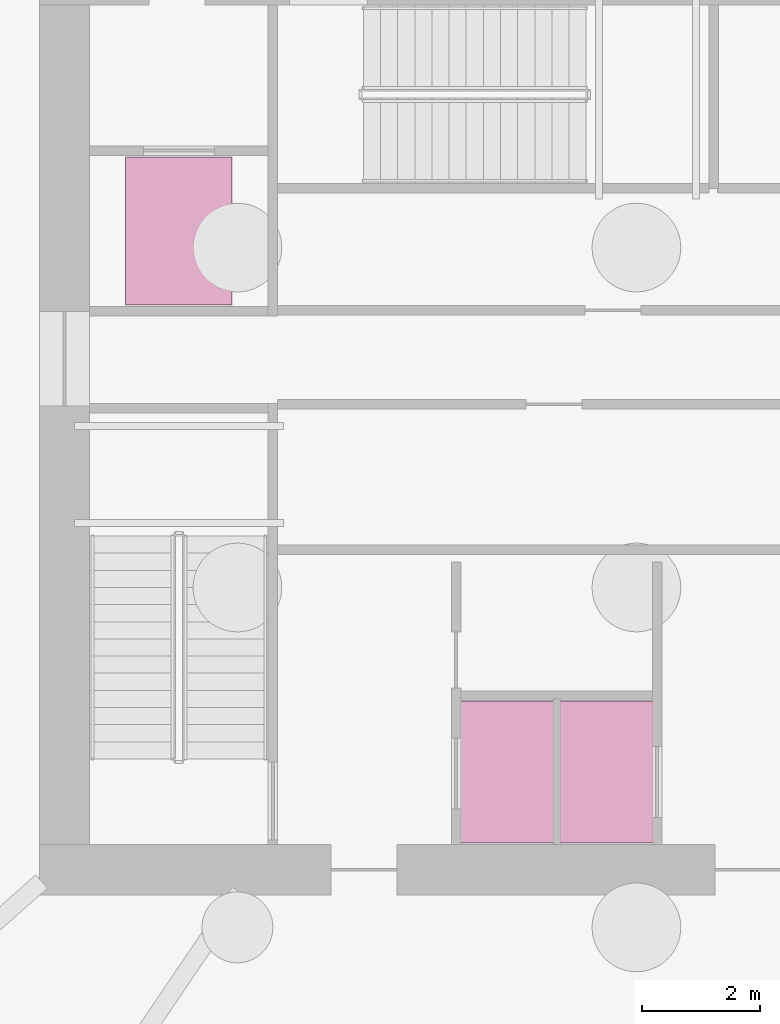
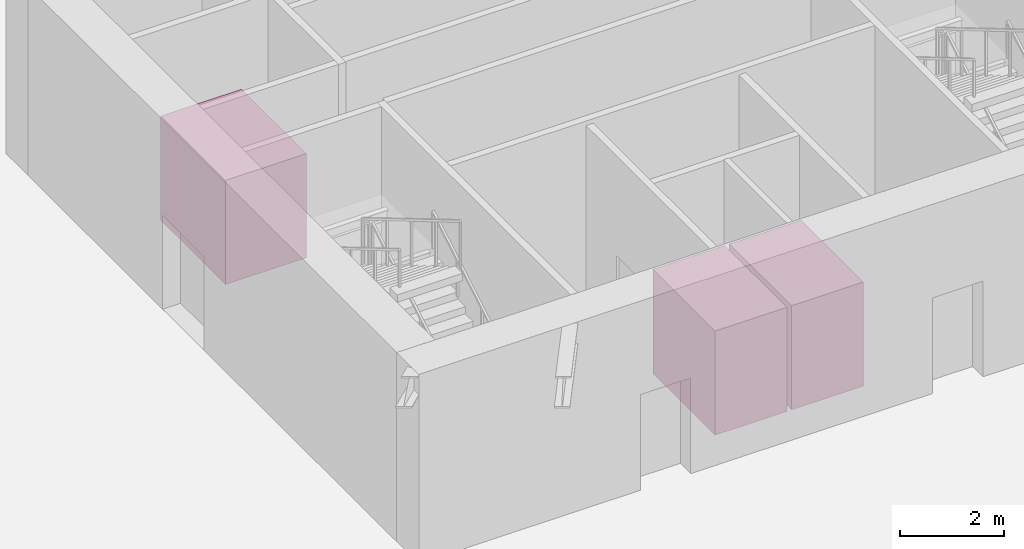
# One storey, part 9 of 9: 3 transport elements.
"""IFC4 building model written with IfcOpenShell, lengths in metres."""

from ifc_helpers import new_model, si_unit, direction, frame, origin, origin_2d, place, context, subcontext, project, spatial, rectangle, extrude, source, transform, mapped, material, type_object, element, save


model = new_model("IFC4")

# Units and contexts
model_context = context("Model", 3, precision=1e-05, world=origin(), true_north=direction((0.0, 1.0)))
body_context = subcontext(model_context, "Body", "Model", "MODEL_VIEW")
ifc_project = project(units=[si_unit("LENGTHUNIT", "METRE"), si_unit("AREAUNIT", "SQUARE_METRE"), si_unit("VOLUMEUNIT", "CUBIC_METRE"), si_unit("PLANEANGLEUNIT", "RADIAN"), si_unit("MASSUNIT", "GRAM", prefix="KILO")], contexts=[model_context])

# Site, building, storey
site_placement = place(None, origin())
site = spatial("IfcSite", under=ifc_project, at=site_placement, CompositionType="ELEMENT")
building_placement = place(site_placement, origin())
building = spatial("IfcBuilding", under=site, at=building_placement, Name="Olszyna Solenne Hotel", CompositionType="ELEMENT")
storey_placement = place(building_placement, frame((0.0, 0.0, -9.60009765625)))
storey = spatial("IfcBuildingStorey", under=building, at=storey_placement, Name="B02", CompositionType="ELEMENT", Elevation=-9.60009765625)

# Transport elements
ifc_material = material(Name="Steel S355J2", Category="steel")
transport_element_type_1 = type_object("IfcTransportElementType", Name="LFT-FF", PredefinedType="ELEVATOR", material=ifc_material)
shared_shape_1 = source(origin(), body_context, "Body", "SweptSolid", [
    extrude(rectangle(XDim=1.60009765625, YDim=2.39990234375, at=origin_2d()), origin(), (0.0, 0.0, 1.0), 2.449951171875),
])
for number, where, z_axis, x_axis, name in (
    (1, (37.14990234375, 20.72998046875, 0.0), (0.0, 0.0, 1.0), (1.0, 0.0, 0.0), "Firefighters lift FF1"),
    (2, (38.85009765625, 20.72998046875, 0.0), (0.0, 0.0, 1.0), (1.0, 0.0, 0.0), "Firefighters lift FF2"),
):
    element("IfcTransportElement", number, at=place(storey_placement, frame(where, z_axis=z_axis, x_axis=x_axis)), inside=storey, type_object=transport_element_type_1, Name=name, PredefinedType="ELEVATOR", context=body_context, shape_type="MappedRepresentation", body=[
        mapped(shared_shape_1, transform((0.0, 0.0, 0.0), x_axis=(1.0, 0.0, 0.0), y_axis=(0.0, 1.0, 0.0), z_axis=(0.0, 0.0, 1.0), scale=1.0)),
    ])
transport_element_type_2 = type_object("IfcTransportElementType", Name="LFT-SV", PredefinedType="ELEVATOR", material=ifc_material)
shared_shape_2 = source(origin(), body_context, "Body", "SweptSolid", [
    extrude(rectangle(XDim=1.800048828125, YDim=2.5, at=origin_2d()), origin(), (0.0, 0.0, 1.0), 2.449951171875),
])
transport_element_placement = place(storey_placement, frame((31.610107421875, 29.8798828125, 0.0), z_axis=(0.0, 0.0, 1.0), x_axis=(1.0, 0.0, 0.0)))
element("IfcTransportElement", 3, at=transport_element_placement, inside=storey, type_object=transport_element_type_2, Name="Passenger lift SV1", PredefinedType="ELEVATOR", context=body_context, shape_type="MappedRepresentation", body=[
    mapped(shared_shape_2, transform((0.0, 0.0, 0.0), x_axis=(1.0, 0.0, 0.0), y_axis=(0.0, 1.0, 0.0), z_axis=(0.0, 0.0, 1.0), scale=1.0)),
])

save(model, "model.ifc")
